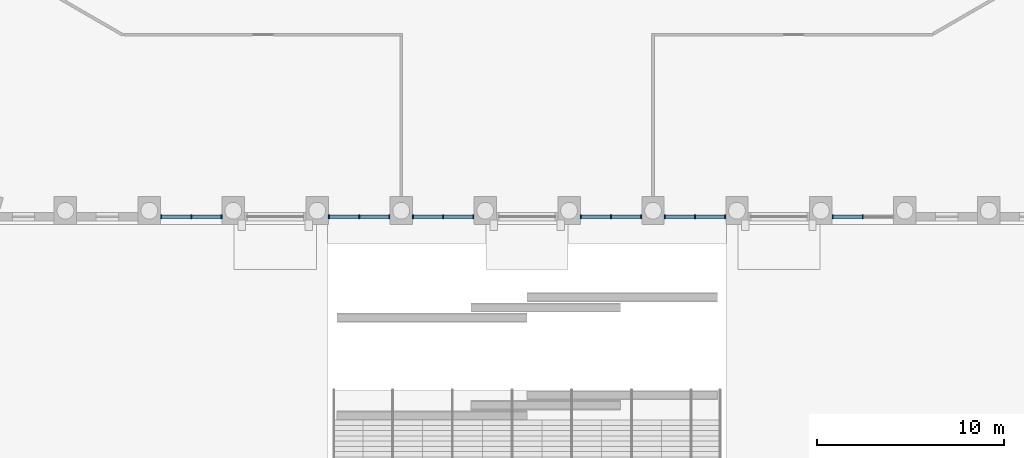
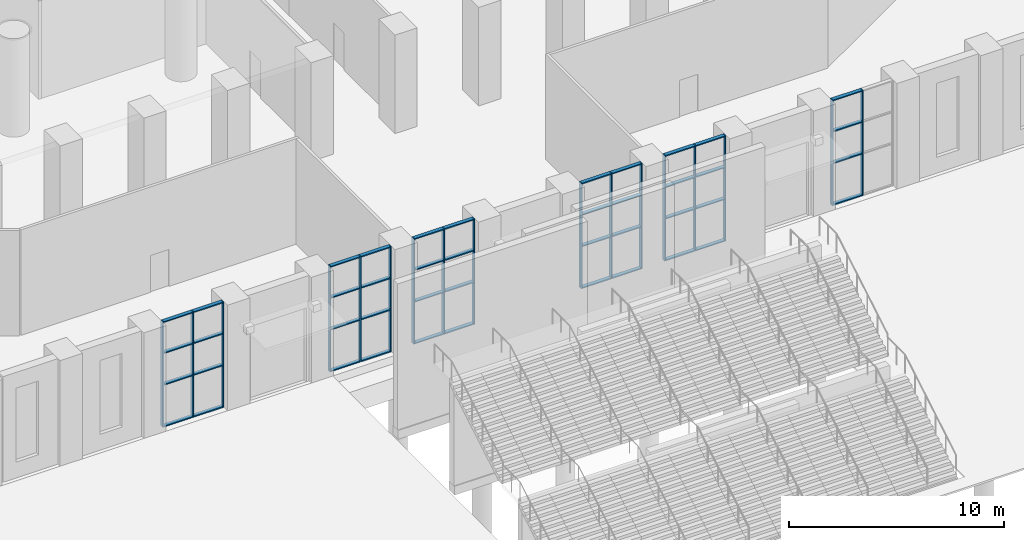
# One storey, part 4 of 44: 61 members, 6 elements without a shape of their own.
"""IFC4 building model written with IfcOpenShell, lengths in metres."""

import ifcopenshell
import ifcopenshell.guid

model = None  # the IFC model being written
_history = None  # IfcOwnerHistory: only IFC2X3 demands one
_inside = {}  # id of a spatial element -> (the spatial element, [elements in it])
_under = {}  # id of a project, library or spatial element -> (it, [spatial elements below it])
_declared = {}  # id of a project -> (the project, [libraries it declares])
_typed = {}  # id of a type object -> (the type object, [elements of that type])
_made_of = {}  # id of a material, layer set ... -> (it, [elements and type objects made of it])


def new_model(schema):
    """Start an empty IFC model of exactly this schema.

    Asked for "IFC4X3", IfcOpenShell would pick the latest addendum, in which some entities
    have other attributes; the version numbers below select the first issue.
    IFC2X3 requires an IfcOwnerHistory on every rooted entity: one is made here for all.
    """
    global model, _history
    if schema == "IFC4X3":
        model = ifcopenshell.file(schema_version=(4, 3, 0, 0))
    else:
        model = ifcopenshell.file(schema=schema)
    _inside.clear()
    _under.clear()
    _declared.clear()
    _typed.clear()
    _made_of.clear()
    _history = None
    if model.schema == "IFC2X3":
        org = make("IfcOrganization", Name="unknown")
        user = make(
            "IfcPersonAndOrganization",
            ThePerson=make("IfcPerson", FamilyName="unknown"),
            TheOrganization=org,
        )
        app = make(
            "IfcApplication",
            ApplicationDeveloper=org,
            Version="unknown",
            ApplicationFullName="unknown",
            ApplicationIdentifier="unknown",
        )
        _history = make(
            "IfcOwnerHistory",
            OwningUser=user,
            OwningApplication=app,
            ChangeAction="ADDED",
            CreationDate=0,
        )
    return model


def make(cls, **values):
    """One entity of the class cls with the attributes given. An attribute that is None is left unset."""
    return model.create_entity(
        cls, **{name: value for name, value in values.items() if value is not None}
    )


def rooted(cls, **values):
    """An entity with a GlobalId (a new one), such as an element, a storey or a relation."""
    return make(cls, GlobalId=ifcopenshell.guid.new(), OwnerHistory=_history, **values)


def si_unit(unit_type, name, prefix=None):
    """IfcSIUnit, for example si_unit("LENGTHUNIT", "METRE", prefix="MILLI")."""
    return make("IfcSIUnit", UnitType=unit_type, Prefix=prefix, Name=name)


def assignment(units):
    """IfcUnitAssignment: the units of a project."""
    return None if units is None else make("IfcUnitAssignment", Units=units)


def point(xyz):
    """IfcCartesianPoint."""
    return None if xyz is None else make("IfcCartesianPoint", Coordinates=xyz)


def direction(xyz):
    """IfcDirection."""
    return None if xyz is None else make("IfcDirection", DirectionRatios=xyz)


def frame(location, z_axis=None, x_axis=None):
    """IfcAxis2Placement3D, a coordinate frame: its origin and axes. An axis left out is left unset."""
    return make(
        "IfcAxis2Placement3D",
        Location=point(location),
        Axis=direction(z_axis),
        RefDirection=direction(x_axis),
    )


def frame_2d(location, x_axis=None):
    """IfcAxis2Placement2D, a coordinate frame in the plane: its origin and x axis."""
    return make(
        "IfcAxis2Placement2D", Location=point(location), RefDirection=direction(x_axis)
    )


def origin():
    """The frame at (0, 0, 0) with its axes left unset."""
    return frame((0.0, 0.0, 0.0))


def origin_2d():
    """The frame at (0, 0) in the plane with its x axis left unset."""
    return frame_2d((0.0, 0.0))


def place(relative_to, where):
    """IfcLocalPlacement: puts the frame where relative to a parent placement (None: the world)."""
    return make(
        "IfcLocalPlacement", PlacementRelTo=relative_to, RelativePlacement=where
    )


def context(
    kind, dimensions, precision=None, world=None, true_north=None, identifier=None
):
    """IfcGeometricRepresentationContext, for example the 3D "Model" context."""
    return make(
        "IfcGeometricRepresentationContext",
        ContextIdentifier=identifier,
        ContextType=kind,
        CoordinateSpaceDimension=dimensions,
        Precision=precision,
        WorldCoordinateSystem=world,
        TrueNorth=true_north,
    )


def subcontext(parent, identifier, kind, view, scale=None):
    """IfcGeometricRepresentationSubContext, for example "Body" below "Model"."""
    return make(
        "IfcGeometricRepresentationSubContext",
        ContextIdentifier=identifier,
        ContextType=kind,
        ParentContext=parent,
        TargetScale=scale,
        TargetView=view,
    )


def project(units=None, contexts=None):
    """IfcProject with its units and contexts."""
    return rooted(
        "IfcProject",
        Name="project",
        RepresentationContexts=contexts,
        UnitsInContext=assignment(units),
    )


def spatial(cls, under=None, at=None, **own):
    """A site, building, storey or space (cls), placed at a placement, below another one or the project."""
    s = rooted(cls, ObjectPlacement=at, **own)
    if under is not None:
        _under.setdefault(under.id(), (under, []))[1].append(s)
    return s


def profile(cls, at=None, kind="AREA", **sizes):
    """A parametric profile (cls). Its sizes go by their IFC names, for example OverallWidth=200.0."""
    return make(cls, ProfileType=kind, Position=at, **sizes)


def rectangle(**sizes):
    """IfcRectangleProfileDef."""
    return profile("IfcRectangleProfileDef", **sizes)


def extrude(swept, where, along, depth):
    """IfcExtrudedAreaSolid: the profile swept, set in the frame where, extruded along a direction by depth."""
    return make(
        "IfcExtrudedAreaSolid",
        SweptArea=swept,
        Position=where,
        ExtrudedDirection=direction(along),
        Depth=depth,
    )


def shape(context_of_items, identifier, shape_type, items):
    """IfcShapeRepresentation: the items that make up one representation, for example the "Body"."""
    return make(
        "IfcShapeRepresentation",
        ContextOfItems=context_of_items,
        RepresentationIdentifier=identifier,
        RepresentationType=shape_type,
        Items=items,
    )


def material(Name=None, Category=None):
    """IfcMaterial."""
    return make("IfcMaterial", Name=Name, Category=Category)


def layer(
    of_material, thickness, ventilated=None, Name=None, Category=None, Priority=None
):
    """IfcMaterialLayer: one layer of a wall or slab, of a material (None: an air gap)."""
    return make(
        "IfcMaterialLayer",
        Material=of_material,
        LayerThickness=thickness,
        IsVentilated=ventilated,
        Name=Name,
        Category=Category,
        Priority=Priority,
    )


def layer_set(layers, Name=None):
    """IfcMaterialLayerSet."""
    return make("IfcMaterialLayerSet", MaterialLayers=layers, LayerSetName=Name)


def material_profile(
    of_material, cross_section, Name=None, Category=None, Priority=None
):
    """IfcMaterialProfile: a cross section and its material."""
    return make(
        "IfcMaterialProfile",
        Name=Name,
        Material=of_material,
        Profile=cross_section,
        Priority=Priority,
        Category=Category,
    )


def profile_set(profiles, Name=None, composite=None):
    """IfcMaterialProfileSet."""
    return make(
        "IfcMaterialProfileSet",
        Name=Name,
        MaterialProfiles=profiles,
        CompositeProfile=composite,
    )


def made_of(thing, what):
    """Note that an element or type object is made of a material, layer set ...; save() writes the relation."""
    if what is not None:
        _made_of.setdefault(what.id(), (what, []))[1].append(thing)
    return thing


def type_object(cls, material=None, **own):
    """A type object (cls), such as IfcWallType, which elements share."""
    return made_of(rooted(cls, **own), material)


def element(
    cls,
    number,
    at=None,
    inside=None,
    cuts=None,
    type_object=None,
    material=None,
    context=None,
    identifier="Body",
    shape_type=None,
    held_by="IfcProductDefinitionShape",
    body=None,
    shapes=None,
    **own,
):
    """One element of the class cls, such as IfcWall. Its Tag is "e" and its number.

    at: its placement. inside: the storey or other place that contains it. cuts: it is an
    opening in that element (IfcRelVoidsElement). A single representation is given by context,
    identifier, shape_type and body (its items); several are given by shapes. held_by: the class
    of the entity that holds the representations. save() writes the other relations.
    """
    e = rooted(cls, Tag="e%d" % number, ObjectPlacement=at, **own)
    if body is not None:
        shapes = [shape(context, identifier, shape_type, body)]
    if shapes is not None:
        e.Representation = make(held_by, Representations=shapes)
    if inside is not None:
        _inside.setdefault(inside.id(), (inside, []))[1].append(e)
    if cuts is not None:
        rooted(
            "IfcRelVoidsElement", RelatingBuildingElement=cuts, RelatedOpeningElement=e
        )
    if type_object is not None:
        _typed.setdefault(type_object.id(), (type_object, []))[1].append(e)
    return made_of(e, material)


def aggregate(whole, parts):
    """IfcRelAggregates: a whole, such as a stair, and the parts it consists of."""
    return rooted("IfcRelAggregates", RelatingObject=whole, RelatedObjects=parts)


def save(model, path):
    """Write the relations noted so far, then the file.

    IfcRelAggregates (storeys below a building ...), IfcRelContainedInSpatialStructure (elements
    in a storey), IfcRelDefinesByType, IfcRelAssociatesMaterial and IfcRelDeclares: one each for
    every whole, place, type object, material and project.
    """
    for whole, parts in _under.values():
        aggregate(whole, parts)
    for where, things in _inside.values():
        rooted(
            "IfcRelContainedInSpatialStructure",
            RelatedElements=things,
            RelatingStructure=where,
        )
    for kind, things in _typed.values():
        rooted("IfcRelDefinesByType", RelatedObjects=things, RelatingType=kind)
    for what, things in _made_of.values():
        rooted("IfcRelAssociatesMaterial", RelatedObjects=things, RelatingMaterial=what)
    for by, libraries in _declared.values():
        rooted("IfcRelDeclares", RelatingContext=by, RelatedDefinitions=libraries)
    model.write(path)


model = new_model("IFC4")

# Units and contexts
model_context = context("Model", 3, precision=1e-05, world=origin(), true_north=direction((0.0, 1.0)))
body_context = subcontext(model_context, "Body", "Model", "MODEL_VIEW")
ifc_project = project(units=[si_unit("LENGTHUNIT", "METRE"), si_unit("AREAUNIT", "SQUARE_METRE"), si_unit("VOLUMEUNIT", "CUBIC_METRE"), si_unit("PLANEANGLEUNIT", "RADIAN"), si_unit("MASSUNIT", "GRAM", prefix="KILO")], contexts=[model_context])

# Site, building, storey
site_placement = place(None, origin())
site = spatial("IfcSite", under=ifc_project, at=site_placement, CompositionType="ELEMENT")
building_placement = place(site_placement, origin())
building = spatial("IfcBuilding", under=site, at=building_placement, Name="Dhurran Vertical Campus", CompositionType="ELEMENT")
storey_placement = place(building_placement, origin())
storey = spatial("IfcBuildingStorey", under=building, at=storey_placement, Name="L00", CompositionType="ELEMENT", Elevation=0.0)

# Curtain wall, members
ifc_material_1 = material(Name="Aluminium frame with solar-control glass", Category="aluminium")
ifc_layer = layer(ifc_material_1, 0.199951171875)
ifc_layer_set = layer_set([ifc_layer], Name="Aluminium frame with solar-control glass")
curtain_wall_type = type_object("IfcCurtainWallType", Name="Entrance glazing system", PredefinedType="NOTDEFINED", material=ifc_layer_set)
curtain_wall_1_placement = place(storey_placement, origin())
curtain_wall_1 = element("IfcCurtainWall", 1, at=curtain_wall_1_placement, inside=storey, type_object=curtain_wall_type, Name="CW1 L00.02", PredefinedType="NOTDEFINED")
ifc_material_2 = material(Name="Aluminium mullion", Category="aluminium")
ifc_material_profile_1 = material_profile(ifc_material_2, rectangle(XDim=0.199951171875, YDim=0.06005859375, at=origin_2d()), Name="Entrance glazing system mullion")
ifc_profile_set_1 = profile_set([ifc_material_profile_1], Name="Aluminium mullion")
member_type_1 = type_object("IfcMemberType", Name="Entrance glazing system mullion", PredefinedType="MULLION", material=ifc_profile_set_1)
member_1_placement = place(storey_placement, frame((-19.619384765625, -46.943359375, 0.0), z_axis=(0.0, 0.0, 1.0), x_axis=(0.0, 1.0, 0.0)))
member_1 = element("IfcMember", 2, at=member_1_placement, type_object=member_type_1, Name="CW1 mullion 1", PredefinedType="MULLION", context=body_context, shape_type="SweptSolid", body=[
    extrude(rectangle(XDim=0.199951171875, YDim=0.06005859375, at=origin_2d()), origin(), (0.0, 0.0, 1.0), 6.0),
])
member_2_placement = place(storey_placement, frame((-18.0, -46.943359375, 0.0), z_axis=(0.0, 0.0, 1.0), x_axis=(0.0, 1.0, 0.0)))
member_2 = element("IfcMember", 3, at=member_2_placement, type_object=member_type_1, Name="CW1 mullion 2", PredefinedType="MULLION", context=body_context, shape_type="SweptSolid", body=[
    extrude(rectangle(XDim=0.199951171875, YDim=0.06005859375, at=origin_2d()), origin(), (0.0, 0.0, 1.0), 6.0),
])
member_3_placement = place(storey_placement, frame((-16.380615234375, -46.943359375, 0.0), z_axis=(0.0, 0.0, 1.0), x_axis=(0.0, 1.0, 0.0)))
member_3 = element("IfcMember", 4, at=member_3_placement, type_object=member_type_1, Name="CW1 mullion 3", PredefinedType="MULLION", context=body_context, shape_type="SweptSolid", body=[
    extrude(rectangle(XDim=0.199951171875, YDim=0.06005859375, at=origin_2d()), origin(), (0.0, 0.0, 1.0), 6.0),
])

curtain_wall_2_placement = place(storey_placement, origin())
curtain_wall_2 = element("IfcCurtainWall", 5, at=curtain_wall_2_placement, inside=storey, type_object=curtain_wall_type, Name="CW1 L00.04", PredefinedType="NOTDEFINED")
member_4_placement = place(storey_placement, frame((-10.619384765625, -46.943359375, 0.0), z_axis=(0.0, 0.0, 1.0), x_axis=(0.0, 1.0, 0.0)))
member_4 = element("IfcMember", 6, at=member_4_placement, type_object=member_type_1, Name="CW1 mullion 1", PredefinedType="MULLION", context=body_context, shape_type="SweptSolid", body=[
    extrude(rectangle(XDim=0.199951171875, YDim=0.06005859375, at=origin_2d()), origin(), (0.0, 0.0, 1.0), 6.0),
])
member_5_placement = place(storey_placement, frame((-9.0, -46.943359375, 0.0), z_axis=(0.0, 0.0, 1.0), x_axis=(0.0, 1.0, 0.0)))
member_5 = element("IfcMember", 7, at=member_5_placement, type_object=member_type_1, Name="CW1 mullion 2", PredefinedType="MULLION", context=body_context, shape_type="SweptSolid", body=[
    extrude(rectangle(XDim=0.199951171875, YDim=0.06005859375, at=origin_2d()), origin(), (0.0, 0.0, 1.0), 6.0),
])
member_6_placement = place(storey_placement, frame((-7.380615234375, -46.943359375, 0.0), z_axis=(0.0, 0.0, 1.0), x_axis=(0.0, 1.0, 0.0)))
member_6 = element("IfcMember", 8, at=member_6_placement, type_object=member_type_1, Name="CW1 mullion 3", PredefinedType="MULLION", context=body_context, shape_type="SweptSolid", body=[
    extrude(rectangle(XDim=0.199951171875, YDim=0.06005859375, at=origin_2d()), origin(), (0.0, 0.0, 1.0), 6.0),
])

curtain_wall_3_placement = place(storey_placement, origin())
curtain_wall_3 = element("IfcCurtainWall", 9, at=curtain_wall_3_placement, inside=storey, type_object=curtain_wall_type, Name="CW1 L00.05", PredefinedType="NOTDEFINED")
member_7_placement = place(storey_placement, frame((-6.119384765625, -46.943359375, 0.0), z_axis=(0.0, 0.0, 1.0), x_axis=(0.0, 1.0, 0.0)))
member_7 = element("IfcMember", 10, at=member_7_placement, type_object=member_type_1, Name="CW1 mullion 1", PredefinedType="MULLION", context=body_context, shape_type="SweptSolid", body=[
    extrude(rectangle(XDim=0.199951171875, YDim=0.06005859375, at=origin_2d()), origin(), (0.0, 0.0, 1.0), 6.0),
])
member_8_placement = place(storey_placement, frame((-4.5, -46.943359375, 0.0), z_axis=(0.0, 0.0, 1.0), x_axis=(0.0, 1.0, 0.0)))
member_8 = element("IfcMember", 11, at=member_8_placement, type_object=member_type_1, Name="CW1 mullion 2", PredefinedType="MULLION", context=body_context, shape_type="SweptSolid", body=[
    extrude(rectangle(XDim=0.199951171875, YDim=0.06005859375, at=origin_2d()), origin(), (0.0, 0.0, 1.0), 6.0),
])
member_9_placement = place(storey_placement, frame((-2.880615234375, -46.943359375, 0.0), z_axis=(0.0, 0.0, 1.0), x_axis=(0.0, 1.0, 0.0)))
member_9 = element("IfcMember", 12, at=member_9_placement, type_object=member_type_1, Name="CW1 mullion 3", PredefinedType="MULLION", context=body_context, shape_type="SweptSolid", body=[
    extrude(rectangle(XDim=0.199951171875, YDim=0.06005859375, at=origin_2d()), origin(), (0.0, 0.0, 1.0), 6.0),
])

curtain_wall_4_placement = place(storey_placement, origin())
curtain_wall_4 = element("IfcCurtainWall", 13, at=curtain_wall_4_placement, inside=storey, type_object=curtain_wall_type, Name="CW1 L00.07", PredefinedType="NOTDEFINED")
member_10_placement = place(storey_placement, frame((2.880615234375, -46.943359375, 0.0), z_axis=(0.0, 0.0, 1.0), x_axis=(0.0, 1.0, 0.0)))
member_10 = element("IfcMember", 14, at=member_10_placement, type_object=member_type_1, Name="CW1 mullion 1", PredefinedType="MULLION", context=body_context, shape_type="SweptSolid", body=[
    extrude(rectangle(XDim=0.199951171875, YDim=0.06005859375, at=origin_2d()), origin(), (0.0, 0.0, 1.0), 6.0),
])
member_11_placement = place(storey_placement, frame((4.5, -46.943359375, 0.0), z_axis=(0.0, 0.0, 1.0), x_axis=(0.0, 1.0, 0.0)))
member_11 = element("IfcMember", 15, at=member_11_placement, type_object=member_type_1, Name="CW1 mullion 2", PredefinedType="MULLION", context=body_context, shape_type="SweptSolid", body=[
    extrude(rectangle(XDim=0.199951171875, YDim=0.06005859375, at=origin_2d()), origin(), (0.0, 0.0, 1.0), 6.0),
])
member_12_placement = place(storey_placement, frame((6.119384765625, -46.943359375, 0.0), z_axis=(0.0, 0.0, 1.0), x_axis=(0.0, 1.0, 0.0)))
member_12 = element("IfcMember", 16, at=member_12_placement, type_object=member_type_1, Name="CW1 mullion 3", PredefinedType="MULLION", context=body_context, shape_type="SweptSolid", body=[
    extrude(rectangle(XDim=0.199951171875, YDim=0.06005859375, at=origin_2d()), origin(), (0.0, 0.0, 1.0), 6.0),
])

curtain_wall_5_placement = place(storey_placement, origin())
curtain_wall_5 = element("IfcCurtainWall", 17, at=curtain_wall_5_placement, inside=storey, type_object=curtain_wall_type, Name="CW1 L00.08", PredefinedType="NOTDEFINED")
member_13_placement = place(storey_placement, frame((7.380615234375, -46.943359375, 0.0), z_axis=(0.0, 0.0, 1.0), x_axis=(0.0, 1.0, 0.0)))
member_13 = element("IfcMember", 18, at=member_13_placement, type_object=member_type_1, Name="CW1 mullion 1", PredefinedType="MULLION", context=body_context, shape_type="SweptSolid", body=[
    extrude(rectangle(XDim=0.199951171875, YDim=0.06005859375, at=origin_2d()), origin(), (0.0, 0.0, 1.0), 6.0),
])
member_14_placement = place(storey_placement, frame((9.0, -46.943359375, 0.0), z_axis=(0.0, 0.0, 1.0), x_axis=(0.0, 1.0, 0.0)))
member_14 = element("IfcMember", 19, at=member_14_placement, type_object=member_type_1, Name="CW1 mullion 2", PredefinedType="MULLION", context=body_context, shape_type="SweptSolid", body=[
    extrude(rectangle(XDim=0.199951171875, YDim=0.06005859375, at=origin_2d()), origin(), (0.0, 0.0, 1.0), 6.0),
])
member_15_placement = place(storey_placement, frame((10.619384765625, -46.943359375, 0.0), z_axis=(0.0, 0.0, 1.0), x_axis=(0.0, 1.0, 0.0)))
member_15 = element("IfcMember", 20, at=member_15_placement, type_object=member_type_1, Name="CW1 mullion 3", PredefinedType="MULLION", context=body_context, shape_type="SweptSolid", body=[
    extrude(rectangle(XDim=0.199951171875, YDim=0.06005859375, at=origin_2d()), origin(), (0.0, 0.0, 1.0), 6.0),
])

curtain_wall_6_placement = place(storey_placement, origin())
curtain_wall_6 = element("IfcCurtainWall", 21, at=curtain_wall_6_placement, inside=storey, type_object=curtain_wall_type, Name="CW1 L00.10", PredefinedType="NOTDEFINED")
member_16_placement = place(storey_placement, frame((16.380615234375, -46.943359375, 0.0), z_axis=(0.0, 0.0, 1.0), x_axis=(0.0, 1.0, 0.0)))
member_16 = element("IfcMember", 22, at=member_16_placement, type_object=member_type_1, Name="CW1 mullion 1", PredefinedType="MULLION", context=body_context, shape_type="SweptSolid", body=[
    extrude(rectangle(XDim=0.199951171875, YDim=0.06005859375, at=origin_2d()), origin(), (0.0, 0.0, 1.0), 6.0),
])
member_17_placement = place(storey_placement, frame((18.0, -46.943359375, 0.0), z_axis=(0.0, 0.0, 1.0), x_axis=(0.0, 1.0, 0.0)))
member_17 = element("IfcMember", 23, at=member_17_placement, type_object=member_type_1, Name="CW1 mullion 2", PredefinedType="MULLION", context=body_context, shape_type="SweptSolid", body=[
    extrude(rectangle(XDim=0.199951171875, YDim=0.06005859375, at=origin_2d()), origin(), (0.0, 0.0, 1.0), 6.0),
])

# Member
ifc_material_3 = material(Name="Aluminium transom", Category="aluminium")
ifc_material_profile_2 = material_profile(ifc_material_3, rectangle(XDim=0.199951171875, YDim=0.06005859375, at=origin_2d()), Name="Entrance glazing system transom")
ifc_profile_set_2 = profile_set([ifc_material_profile_2], Name="Aluminium transom")
member_type_2 = type_object("IfcMemberType", Name="Entrance glazing system transom", PredefinedType="USERDEFINED", material=ifc_profile_set_2)
member_18_placement = place(storey_placement, frame((-19.589599609375, -46.943359375, 0.030029296875), z_axis=(1.0, 0.0, 0.0), x_axis=(0.0, 1.0, 0.0)))
member_18 = element("IfcMember", 24, at=member_18_placement, type_object=member_type_2, Name="CW1 transom 1.1", ObjectType="TRANSOM", PredefinedType="USERDEFINED", context=body_context, shape_type="SweptSolid", body=[
    extrude(rectangle(XDim=0.199951171875, YDim=0.06005859375, at=origin_2d()), origin(), (0.0, 0.0, 1.0), 1.5595703125),
])

member_19_placement = place(storey_placement, frame((-19.589599609375, -46.943359375, 2.39990234375), z_axis=(1.0, 0.0, 0.0), x_axis=(0.0, 1.0, 0.0)))
member_19 = element("IfcMember", 25, at=member_19_placement, type_object=member_type_2, Name="CW1 transom 1.2", ObjectType="TRANSOM", PredefinedType="USERDEFINED", context=body_context, shape_type="SweptSolid", body=[
    extrude(rectangle(XDim=0.199951171875, YDim=0.06005859375, at=origin_2d()), origin(), (0.0, 0.0, 1.0), 1.5595703125),
])

member_20_placement = place(storey_placement, frame((-19.589599609375, -46.943359375, 4.199951171875), z_axis=(1.0, 0.0, 0.0), x_axis=(0.0, 1.0, 0.0)))
member_20 = element("IfcMember", 26, at=member_20_placement, type_object=member_type_2, Name="CW1 transom 1.3", ObjectType="TRANSOM", PredefinedType="USERDEFINED", context=body_context, shape_type="SweptSolid", body=[
    extrude(rectangle(XDim=0.199951171875, YDim=0.06005859375, at=origin_2d()), origin(), (0.0, 0.0, 1.0), 1.5595703125),
])

member_21_placement = place(storey_placement, frame((-19.589599609375, -46.943359375, 5.969970703125), z_axis=(1.0, 0.0, 0.0), x_axis=(0.0, 1.0, 0.0)))
member_21 = element("IfcMember", 27, at=member_21_placement, type_object=member_type_2, Name="CW1 transom 1.4", ObjectType="TRANSOM", PredefinedType="USERDEFINED", context=body_context, shape_type="SweptSolid", body=[
    extrude(rectangle(XDim=0.199951171875, YDim=0.06005859375, at=origin_2d()), origin(), (0.0, 0.0, 1.0), 1.5595703125),
])

member_22_placement = place(storey_placement, frame((-17.969970703125, -46.943359375, 0.030029296875), z_axis=(1.0, 0.0, 0.0), x_axis=(0.0, 1.0, 0.0)))
member_22 = element("IfcMember", 28, at=member_22_placement, type_object=member_type_2, Name="CW1 transom 2.1", ObjectType="TRANSOM", PredefinedType="USERDEFINED", context=body_context, shape_type="SweptSolid", body=[
    extrude(rectangle(XDim=0.199951171875, YDim=0.06005859375, at=origin_2d()), origin(), (0.0, 0.0, 1.0), 1.5595703125),
])

member_23_placement = place(storey_placement, frame((-17.969970703125, -46.943359375, 2.39990234375), z_axis=(1.0, 0.0, 0.0), x_axis=(0.0, 1.0, 0.0)))
member_23 = element("IfcMember", 29, at=member_23_placement, type_object=member_type_2, Name="CW1 transom 2.2", ObjectType="TRANSOM", PredefinedType="USERDEFINED", context=body_context, shape_type="SweptSolid", body=[
    extrude(rectangle(XDim=0.199951171875, YDim=0.06005859375, at=origin_2d()), origin(), (0.0, 0.0, 1.0), 1.5595703125),
])

member_24_placement = place(storey_placement, frame((-17.969970703125, -46.943359375, 4.199951171875), z_axis=(1.0, 0.0, 0.0), x_axis=(0.0, 1.0, 0.0)))
member_24 = element("IfcMember", 30, at=member_24_placement, type_object=member_type_2, Name="CW1 transom 2.3", ObjectType="TRANSOM", PredefinedType="USERDEFINED", context=body_context, shape_type="SweptSolid", body=[
    extrude(rectangle(XDim=0.199951171875, YDim=0.06005859375, at=origin_2d()), origin(), (0.0, 0.0, 1.0), 1.5595703125),
])

member_25_placement = place(storey_placement, frame((-17.969970703125, -46.943359375, 5.969970703125), z_axis=(1.0, 0.0, 0.0), x_axis=(0.0, 1.0, 0.0)))
member_25 = element("IfcMember", 31, at=member_25_placement, type_object=member_type_2, Name="CW1 transom 2.4", ObjectType="TRANSOM", PredefinedType="USERDEFINED", context=body_context, shape_type="SweptSolid", body=[
    extrude(rectangle(XDim=0.199951171875, YDim=0.06005859375, at=origin_2d()), origin(), (0.0, 0.0, 1.0), 1.5595703125),
])

aggregate(curtain_wall_1, [member_1, member_2, member_3, member_18, member_19, member_20, member_21, member_22, member_23, member_24, member_25])

member_26_placement = place(storey_placement, frame((-10.589599609375, -46.943359375, 0.030029296875), z_axis=(1.0, 0.0, 0.0), x_axis=(0.0, 1.0, 0.0)))
member_26 = element("IfcMember", 32, at=member_26_placement, type_object=member_type_2, Name="CW1 transom 1.1", ObjectType="TRANSOM", PredefinedType="USERDEFINED", context=body_context, shape_type="SweptSolid", body=[
    extrude(rectangle(XDim=0.199951171875, YDim=0.06005859375, at=origin_2d()), origin(), (0.0, 0.0, 1.0), 1.5595703125),
])

member_27_placement = place(storey_placement, frame((-10.589599609375, -46.943359375, 2.39990234375), z_axis=(1.0, 0.0, 0.0), x_axis=(0.0, 1.0, 0.0)))
member_27 = element("IfcMember", 33, at=member_27_placement, type_object=member_type_2, Name="CW1 transom 1.2", ObjectType="TRANSOM", PredefinedType="USERDEFINED", context=body_context, shape_type="SweptSolid", body=[
    extrude(rectangle(XDim=0.199951171875, YDim=0.06005859375, at=origin_2d()), origin(), (0.0, 0.0, 1.0), 1.5595703125),
])

member_28_placement = place(storey_placement, frame((-10.589599609375, -46.943359375, 4.199951171875), z_axis=(1.0, 0.0, 0.0), x_axis=(0.0, 1.0, 0.0)))
member_28 = element("IfcMember", 34, at=member_28_placement, type_object=member_type_2, Name="CW1 transom 1.3", ObjectType="TRANSOM", PredefinedType="USERDEFINED", context=body_context, shape_type="SweptSolid", body=[
    extrude(rectangle(XDim=0.199951171875, YDim=0.06005859375, at=origin_2d()), origin(), (0.0, 0.0, 1.0), 1.5595703125),
])

member_29_placement = place(storey_placement, frame((-10.589599609375, -46.943359375, 5.969970703125), z_axis=(1.0, 0.0, 0.0), x_axis=(0.0, 1.0, 0.0)))
member_29 = element("IfcMember", 35, at=member_29_placement, type_object=member_type_2, Name="CW1 transom 1.4", ObjectType="TRANSOM", PredefinedType="USERDEFINED", context=body_context, shape_type="SweptSolid", body=[
    extrude(rectangle(XDim=0.199951171875, YDim=0.06005859375, at=origin_2d()), origin(), (0.0, 0.0, 1.0), 1.5595703125),
])

member_30_placement = place(storey_placement, frame((-8.969970703125, -46.943359375, 0.030029296875), z_axis=(1.0, 0.0, 0.0), x_axis=(0.0, 1.0, 0.0)))
member_30 = element("IfcMember", 36, at=member_30_placement, type_object=member_type_2, Name="CW1 transom 2.1", ObjectType="TRANSOM", PredefinedType="USERDEFINED", context=body_context, shape_type="SweptSolid", body=[
    extrude(rectangle(XDim=0.199951171875, YDim=0.06005859375, at=origin_2d()), origin(), (0.0, 0.0, 1.0), 1.5595703125),
])

member_31_placement = place(storey_placement, frame((-8.969970703125, -46.943359375, 2.39990234375), z_axis=(1.0, 0.0, 0.0), x_axis=(0.0, 1.0, 0.0)))
member_31 = element("IfcMember", 37, at=member_31_placement, type_object=member_type_2, Name="CW1 transom 2.2", ObjectType="TRANSOM", PredefinedType="USERDEFINED", context=body_context, shape_type="SweptSolid", body=[
    extrude(rectangle(XDim=0.199951171875, YDim=0.06005859375, at=origin_2d()), origin(), (0.0, 0.0, 1.0), 1.5595703125),
])

member_32_placement = place(storey_placement, frame((-8.969970703125, -46.943359375, 4.199951171875), z_axis=(1.0, 0.0, 0.0), x_axis=(0.0, 1.0, 0.0)))
member_32 = element("IfcMember", 38, at=member_32_placement, type_object=member_type_2, Name="CW1 transom 2.3", ObjectType="TRANSOM", PredefinedType="USERDEFINED", context=body_context, shape_type="SweptSolid", body=[
    extrude(rectangle(XDim=0.199951171875, YDim=0.06005859375, at=origin_2d()), origin(), (0.0, 0.0, 1.0), 1.5595703125),
])

member_33_placement = place(storey_placement, frame((-8.969970703125, -46.943359375, 5.969970703125), z_axis=(1.0, 0.0, 0.0), x_axis=(0.0, 1.0, 0.0)))
member_33 = element("IfcMember", 39, at=member_33_placement, type_object=member_type_2, Name="CW1 transom 2.4", ObjectType="TRANSOM", PredefinedType="USERDEFINED", context=body_context, shape_type="SweptSolid", body=[
    extrude(rectangle(XDim=0.199951171875, YDim=0.06005859375, at=origin_2d()), origin(), (0.0, 0.0, 1.0), 1.5595703125),
])

aggregate(curtain_wall_2, [member_4, member_5, member_6, member_26, member_27, member_28, member_29, member_30, member_31, member_32, member_33])

member_34_placement = place(storey_placement, frame((-6.089599609375, -46.943359375, 0.030029296875), z_axis=(1.0, 0.0, 0.0), x_axis=(0.0, 1.0, 0.0)))
member_34 = element("IfcMember", 40, at=member_34_placement, type_object=member_type_2, Name="CW1 transom 1.1", ObjectType="TRANSOM", PredefinedType="USERDEFINED", context=body_context, shape_type="SweptSolid", body=[
    extrude(rectangle(XDim=0.199951171875, YDim=0.06005859375, at=origin_2d()), origin(), (0.0, 0.0, 1.0), 1.5595703125),
])

member_35_placement = place(storey_placement, frame((-6.089599609375, -46.943359375, 2.39990234375), z_axis=(1.0, 0.0, 0.0), x_axis=(0.0, 1.0, 0.0)))
member_35 = element("IfcMember", 41, at=member_35_placement, type_object=member_type_2, Name="CW1 transom 1.2", ObjectType="TRANSOM", PredefinedType="USERDEFINED", context=body_context, shape_type="SweptSolid", body=[
    extrude(rectangle(XDim=0.199951171875, YDim=0.06005859375, at=origin_2d()), origin(), (0.0, 0.0, 1.0), 1.5595703125),
])

member_36_placement = place(storey_placement, frame((-6.089599609375, -46.943359375, 4.199951171875), z_axis=(1.0, 0.0, 0.0), x_axis=(0.0, 1.0, 0.0)))
member_36 = element("IfcMember", 42, at=member_36_placement, type_object=member_type_2, Name="CW1 transom 1.3", ObjectType="TRANSOM", PredefinedType="USERDEFINED", context=body_context, shape_type="SweptSolid", body=[
    extrude(rectangle(XDim=0.199951171875, YDim=0.06005859375, at=origin_2d()), origin(), (0.0, 0.0, 1.0), 1.5595703125),
])

member_37_placement = place(storey_placement, frame((-6.089599609375, -46.943359375, 5.969970703125), z_axis=(1.0, 0.0, 0.0), x_axis=(0.0, 1.0, 0.0)))
member_37 = element("IfcMember", 43, at=member_37_placement, type_object=member_type_2, Name="CW1 transom 1.4", ObjectType="TRANSOM", PredefinedType="USERDEFINED", context=body_context, shape_type="SweptSolid", body=[
    extrude(rectangle(XDim=0.199951171875, YDim=0.06005859375, at=origin_2d()), origin(), (0.0, 0.0, 1.0), 1.5595703125),
])

member_38_placement = place(storey_placement, frame((-4.469970703125, -46.943359375, 0.030029296875), z_axis=(1.0, 0.0, 0.0), x_axis=(0.0, 1.0, 0.0)))
member_38 = element("IfcMember", 44, at=member_38_placement, type_object=member_type_2, Name="CW1 transom 2.1", ObjectType="TRANSOM", PredefinedType="USERDEFINED", context=body_context, shape_type="SweptSolid", body=[
    extrude(rectangle(XDim=0.199951171875, YDim=0.06005859375, at=origin_2d()), origin(), (0.0, 0.0, 1.0), 1.5595703125),
])

member_39_placement = place(storey_placement, frame((-4.469970703125, -46.943359375, 2.39990234375), z_axis=(1.0, 0.0, 0.0), x_axis=(0.0, 1.0, 0.0)))
member_39 = element("IfcMember", 45, at=member_39_placement, type_object=member_type_2, Name="CW1 transom 2.2", ObjectType="TRANSOM", PredefinedType="USERDEFINED", context=body_context, shape_type="SweptSolid", body=[
    extrude(rectangle(XDim=0.199951171875, YDim=0.06005859375, at=origin_2d()), origin(), (0.0, 0.0, 1.0), 1.5595703125),
])

member_40_placement = place(storey_placement, frame((-4.469970703125, -46.943359375, 4.199951171875), z_axis=(1.0, 0.0, 0.0), x_axis=(0.0, 1.0, 0.0)))
member_40 = element("IfcMember", 46, at=member_40_placement, type_object=member_type_2, Name="CW1 transom 2.3", ObjectType="TRANSOM", PredefinedType="USERDEFINED", context=body_context, shape_type="SweptSolid", body=[
    extrude(rectangle(XDim=0.199951171875, YDim=0.06005859375, at=origin_2d()), origin(), (0.0, 0.0, 1.0), 1.5595703125),
])

member_41_placement = place(storey_placement, frame((-4.469970703125, -46.943359375, 5.969970703125), z_axis=(1.0, 0.0, 0.0), x_axis=(0.0, 1.0, 0.0)))
member_41 = element("IfcMember", 47, at=member_41_placement, type_object=member_type_2, Name="CW1 transom 2.4", ObjectType="TRANSOM", PredefinedType="USERDEFINED", context=body_context, shape_type="SweptSolid", body=[
    extrude(rectangle(XDim=0.199951171875, YDim=0.06005859375, at=origin_2d()), origin(), (0.0, 0.0, 1.0), 1.5595703125),
])

aggregate(curtain_wall_3, [member_7, member_8, member_9, member_34, member_35, member_36, member_37, member_38, member_39, member_40, member_41])

member_42_placement = place(storey_placement, frame((2.910400390625, -46.943359375, 0.030029296875), z_axis=(1.0, 0.0, 0.0), x_axis=(0.0, 1.0, 0.0)))
member_42 = element("IfcMember", 48, at=member_42_placement, type_object=member_type_2, Name="CW1 transom 1.1", ObjectType="TRANSOM", PredefinedType="USERDEFINED", context=body_context, shape_type="SweptSolid", body=[
    extrude(rectangle(XDim=0.199951171875, YDim=0.06005859375, at=origin_2d()), origin(), (0.0, 0.0, 1.0), 1.5595703125),
])

member_43_placement = place(storey_placement, frame((2.910400390625, -46.943359375, 2.39990234375), z_axis=(1.0, 0.0, 0.0), x_axis=(0.0, 1.0, 0.0)))
member_43 = element("IfcMember", 49, at=member_43_placement, type_object=member_type_2, Name="CW1 transom 1.2", ObjectType="TRANSOM", PredefinedType="USERDEFINED", context=body_context, shape_type="SweptSolid", body=[
    extrude(rectangle(XDim=0.199951171875, YDim=0.06005859375, at=origin_2d()), origin(), (0.0, 0.0, 1.0), 1.5595703125),
])

member_44_placement = place(storey_placement, frame((2.910400390625, -46.943359375, 4.199951171875), z_axis=(1.0, 0.0, 0.0), x_axis=(0.0, 1.0, 0.0)))
member_44 = element("IfcMember", 50, at=member_44_placement, type_object=member_type_2, Name="CW1 transom 1.3", ObjectType="TRANSOM", PredefinedType="USERDEFINED", context=body_context, shape_type="SweptSolid", body=[
    extrude(rectangle(XDim=0.199951171875, YDim=0.06005859375, at=origin_2d()), origin(), (0.0, 0.0, 1.0), 1.5595703125),
])

member_45_placement = place(storey_placement, frame((2.910400390625, -46.943359375, 5.969970703125), z_axis=(1.0, 0.0, 0.0), x_axis=(0.0, 1.0, 0.0)))
member_45 = element("IfcMember", 51, at=member_45_placement, type_object=member_type_2, Name="CW1 transom 1.4", ObjectType="TRANSOM", PredefinedType="USERDEFINED", context=body_context, shape_type="SweptSolid", body=[
    extrude(rectangle(XDim=0.199951171875, YDim=0.06005859375, at=origin_2d()), origin(), (0.0, 0.0, 1.0), 1.5595703125),
])

member_46_placement = place(storey_placement, frame((4.530029296875, -46.943359375, 0.030029296875), z_axis=(1.0, 0.0, 0.0), x_axis=(0.0, 1.0, 0.0)))
member_46 = element("IfcMember", 52, at=member_46_placement, type_object=member_type_2, Name="CW1 transom 2.1", ObjectType="TRANSOM", PredefinedType="USERDEFINED", context=body_context, shape_type="SweptSolid", body=[
    extrude(rectangle(XDim=0.199951171875, YDim=0.06005859375, at=origin_2d()), origin(), (0.0, 0.0, 1.0), 1.5595703125),
])

member_47_placement = place(storey_placement, frame((4.530029296875, -46.943359375, 2.39990234375), z_axis=(1.0, 0.0, 0.0), x_axis=(0.0, 1.0, 0.0)))
member_47 = element("IfcMember", 53, at=member_47_placement, type_object=member_type_2, Name="CW1 transom 2.2", ObjectType="TRANSOM", PredefinedType="USERDEFINED", context=body_context, shape_type="SweptSolid", body=[
    extrude(rectangle(XDim=0.199951171875, YDim=0.06005859375, at=origin_2d()), origin(), (0.0, 0.0, 1.0), 1.5595703125),
])

member_48_placement = place(storey_placement, frame((4.530029296875, -46.943359375, 4.199951171875), z_axis=(1.0, 0.0, 0.0), x_axis=(0.0, 1.0, 0.0)))
member_48 = element("IfcMember", 54, at=member_48_placement, type_object=member_type_2, Name="CW1 transom 2.3", ObjectType="TRANSOM", PredefinedType="USERDEFINED", context=body_context, shape_type="SweptSolid", body=[
    extrude(rectangle(XDim=0.199951171875, YDim=0.06005859375, at=origin_2d()), origin(), (0.0, 0.0, 1.0), 1.5595703125),
])

member_49_placement = place(storey_placement, frame((4.530029296875, -46.943359375, 5.969970703125), z_axis=(1.0, 0.0, 0.0), x_axis=(0.0, 1.0, 0.0)))
member_49 = element("IfcMember", 55, at=member_49_placement, type_object=member_type_2, Name="CW1 transom 2.4", ObjectType="TRANSOM", PredefinedType="USERDEFINED", context=body_context, shape_type="SweptSolid", body=[
    extrude(rectangle(XDim=0.199951171875, YDim=0.06005859375, at=origin_2d()), origin(), (0.0, 0.0, 1.0), 1.5595703125),
])

aggregate(curtain_wall_4, [member_10, member_11, member_12, member_42, member_43, member_44, member_45, member_46, member_47, member_48, member_49])

member_50_placement = place(storey_placement, frame((7.410400390625, -46.943359375, 0.030029296875), z_axis=(1.0, 0.0, 0.0), x_axis=(0.0, 1.0, 0.0)))
member_50 = element("IfcMember", 56, at=member_50_placement, type_object=member_type_2, Name="CW1 transom 1.1", ObjectType="TRANSOM", PredefinedType="USERDEFINED", context=body_context, shape_type="SweptSolid", body=[
    extrude(rectangle(XDim=0.199951171875, YDim=0.06005859375, at=origin_2d()), origin(), (0.0, 0.0, 1.0), 1.5595703125),
])

member_51_placement = place(storey_placement, frame((7.410400390625, -46.943359375, 2.39990234375), z_axis=(1.0, 0.0, 0.0), x_axis=(0.0, 1.0, 0.0)))
member_51 = element("IfcMember", 57, at=member_51_placement, type_object=member_type_2, Name="CW1 transom 1.2", ObjectType="TRANSOM", PredefinedType="USERDEFINED", context=body_context, shape_type="SweptSolid", body=[
    extrude(rectangle(XDim=0.199951171875, YDim=0.06005859375, at=origin_2d()), origin(), (0.0, 0.0, 1.0), 1.5595703125),
])

member_52_placement = place(storey_placement, frame((7.410400390625, -46.943359375, 4.199951171875), z_axis=(1.0, 0.0, 0.0), x_axis=(0.0, 1.0, 0.0)))
member_52 = element("IfcMember", 58, at=member_52_placement, type_object=member_type_2, Name="CW1 transom 1.3", ObjectType="TRANSOM", PredefinedType="USERDEFINED", context=body_context, shape_type="SweptSolid", body=[
    extrude(rectangle(XDim=0.199951171875, YDim=0.06005859375, at=origin_2d()), origin(), (0.0, 0.0, 1.0), 1.5595703125),
])

member_53_placement = place(storey_placement, frame((7.410400390625, -46.943359375, 5.969970703125), z_axis=(1.0, 0.0, 0.0), x_axis=(0.0, 1.0, 0.0)))
member_53 = element("IfcMember", 59, at=member_53_placement, type_object=member_type_2, Name="CW1 transom 1.4", ObjectType="TRANSOM", PredefinedType="USERDEFINED", context=body_context, shape_type="SweptSolid", body=[
    extrude(rectangle(XDim=0.199951171875, YDim=0.06005859375, at=origin_2d()), origin(), (0.0, 0.0, 1.0), 1.5595703125),
])

member_54_placement = place(storey_placement, frame((9.030029296875, -46.943359375, 0.030029296875), z_axis=(1.0, 0.0, 0.0), x_axis=(0.0, 1.0, 0.0)))
member_54 = element("IfcMember", 60, at=member_54_placement, type_object=member_type_2, Name="CW1 transom 2.1", ObjectType="TRANSOM", PredefinedType="USERDEFINED", context=body_context, shape_type="SweptSolid", body=[
    extrude(rectangle(XDim=0.199951171875, YDim=0.06005859375, at=origin_2d()), origin(), (0.0, 0.0, 1.0), 1.5595703125),
])

member_55_placement = place(storey_placement, frame((9.030029296875, -46.943359375, 2.39990234375), z_axis=(1.0, 0.0, 0.0), x_axis=(0.0, 1.0, 0.0)))
member_55 = element("IfcMember", 61, at=member_55_placement, type_object=member_type_2, Name="CW1 transom 2.2", ObjectType="TRANSOM", PredefinedType="USERDEFINED", context=body_context, shape_type="SweptSolid", body=[
    extrude(rectangle(XDim=0.199951171875, YDim=0.06005859375, at=origin_2d()), origin(), (0.0, 0.0, 1.0), 1.5595703125),
])

member_56_placement = place(storey_placement, frame((9.030029296875, -46.943359375, 4.199951171875), z_axis=(1.0, 0.0, 0.0), x_axis=(0.0, 1.0, 0.0)))
member_56 = element("IfcMember", 62, at=member_56_placement, type_object=member_type_2, Name="CW1 transom 2.3", ObjectType="TRANSOM", PredefinedType="USERDEFINED", context=body_context, shape_type="SweptSolid", body=[
    extrude(rectangle(XDim=0.199951171875, YDim=0.06005859375, at=origin_2d()), origin(), (0.0, 0.0, 1.0), 1.5595703125),
])

member_57_placement = place(storey_placement, frame((9.030029296875, -46.943359375, 5.969970703125), z_axis=(1.0, 0.0, 0.0), x_axis=(0.0, 1.0, 0.0)))
member_57 = element("IfcMember", 63, at=member_57_placement, type_object=member_type_2, Name="CW1 transom 2.4", ObjectType="TRANSOM", PredefinedType="USERDEFINED", context=body_context, shape_type="SweptSolid", body=[
    extrude(rectangle(XDim=0.199951171875, YDim=0.06005859375, at=origin_2d()), origin(), (0.0, 0.0, 1.0), 1.5595703125),
])

aggregate(curtain_wall_5, [member_13, member_14, member_15, member_50, member_51, member_52, member_53, member_54, member_55, member_56, member_57])

member_58_placement = place(storey_placement, frame((16.410400390625, -46.943359375, 0.030029296875), z_axis=(1.0, 0.0, 0.0), x_axis=(0.0, 1.0, 0.0)))
member_58 = element("IfcMember", 64, at=member_58_placement, type_object=member_type_2, Name="CW1 transom 1.1", ObjectType="TRANSOM", PredefinedType="USERDEFINED", context=body_context, shape_type="SweptSolid", body=[
    extrude(rectangle(XDim=0.199951171875, YDim=0.06005859375, at=origin_2d()), origin(), (0.0, 0.0, 1.0), 1.5595703125),
])

member_59_placement = place(storey_placement, frame((16.410400390625, -46.943359375, 2.39990234375), z_axis=(1.0, 0.0, 0.0), x_axis=(0.0, 1.0, 0.0)))
member_59 = element("IfcMember", 65, at=member_59_placement, type_object=member_type_2, Name="CW1 transom 1.2", ObjectType="TRANSOM", PredefinedType="USERDEFINED", context=body_context, shape_type="SweptSolid", body=[
    extrude(rectangle(XDim=0.199951171875, YDim=0.06005859375, at=origin_2d()), origin(), (0.0, 0.0, 1.0), 1.5595703125),
])

member_60_placement = place(storey_placement, frame((16.410400390625, -46.943359375, 4.199951171875), z_axis=(1.0, 0.0, 0.0), x_axis=(0.0, 1.0, 0.0)))
member_60 = element("IfcMember", 66, at=member_60_placement, type_object=member_type_2, Name="CW1 transom 1.3", ObjectType="TRANSOM", PredefinedType="USERDEFINED", context=body_context, shape_type="SweptSolid", body=[
    extrude(rectangle(XDim=0.199951171875, YDim=0.06005859375, at=origin_2d()), origin(), (0.0, 0.0, 1.0), 1.5595703125),
])

member_61_placement = place(storey_placement, frame((16.410400390625, -46.943359375, 5.969970703125), z_axis=(1.0, 0.0, 0.0), x_axis=(0.0, 1.0, 0.0)))
member_61 = element("IfcMember", 67, at=member_61_placement, type_object=member_type_2, Name="CW1 transom 1.4", ObjectType="TRANSOM", PredefinedType="USERDEFINED", context=body_context, shape_type="SweptSolid", body=[
    extrude(rectangle(XDim=0.199951171875, YDim=0.06005859375, at=origin_2d()), origin(), (0.0, 0.0, 1.0), 1.5595703125),
])

aggregate(curtain_wall_6, [member_16, member_17, member_58, member_59, member_60, member_61])

save(model, "model.ifc")
